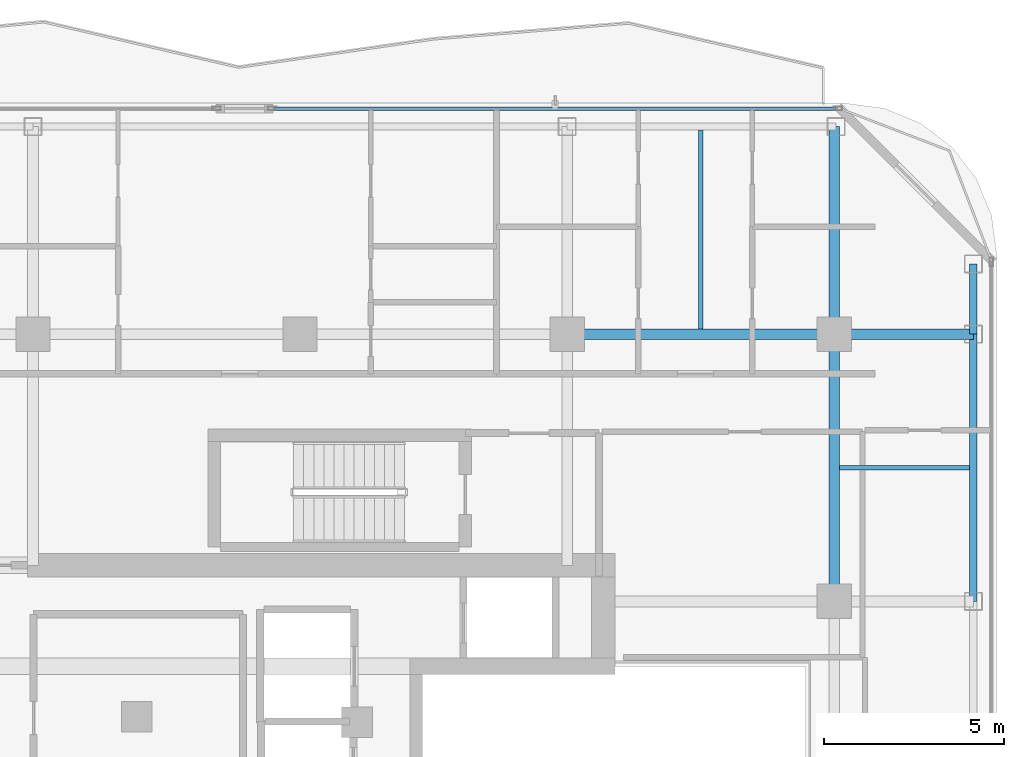
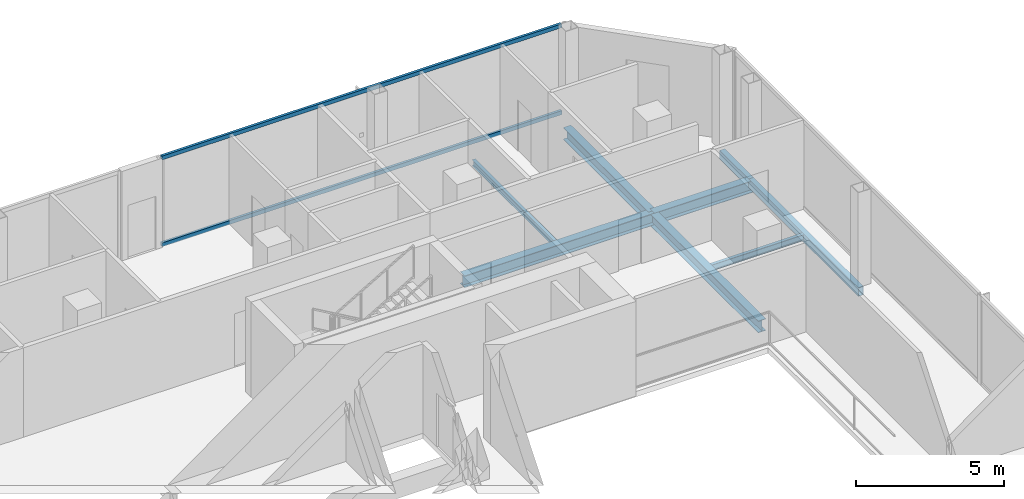
# One storey, part 14 of 26: 8 beams, 2 members, 1 element without a shape of its own.
"""IFC4 building model written with IfcOpenShell, lengths in metres."""

from ifc_helpers import new_model, si_unit, direction, frame, origin, origin_2d, place, context, subcontext, project, spatial, hollow_rectangle, i_section, extrude, material, layer, layer_set, material_profile, profile_set, type_object, element, aggregate, save


model = new_model("IFC4")

# Units and contexts
model_context = context("Model", 3, precision=1e-05, world=origin(), true_north=direction((0.0, 1.0)))
body_context = subcontext(model_context, "Body", "Model", "MODEL_VIEW")
ifc_project = project(units=[si_unit("LENGTHUNIT", "METRE"), si_unit("AREAUNIT", "SQUARE_METRE"), si_unit("VOLUMEUNIT", "CUBIC_METRE"), si_unit("PLANEANGLEUNIT", "RADIAN"), si_unit("MASSUNIT", "GRAM", prefix="KILO")], contexts=[model_context])

# Site, building, storey
site_placement = place(None, origin())
site = spatial("IfcSite", under=ifc_project, at=site_placement, CompositionType="ELEMENT")
building_placement = place(site_placement, origin())
building = spatial("IfcBuilding", under=site, at=building_placement, Name="Khorvyn Point Tower", CompositionType="ELEMENT")
storey_placement = place(building_placement, frame((0.0, 0.0, 289.800048828125)))
storey = spatial("IfcBuildingStorey", under=building, at=storey_placement, Name="L71", CompositionType="ELEMENT", Elevation=289.800048828125)

# Curtain wall, members
ifc_material_1 = material(Name="Anodised aluminium 6063-T6 and laminated Low-E glass", Category="aluminium")
ifc_layer = layer(ifc_material_1, 0.18994140625)
ifc_layer_set = layer_set([ifc_layer], Name="Stick-Built High-Wind Curtain Wall CW-SYS-04")
curtain_wall_type = type_object("IfcCurtainWallType", Name="Stick-Built High-Wind Curtain Wall CW-SYS-04", PredefinedType="NOTDEFINED", material=ifc_layer_set)
curtain_wall_placement = place(storey_placement, origin())
curtain_wall = element("IfcCurtainWall", 1, at=curtain_wall_placement, inside=storey, type_object=curtain_wall_type, Name="Curtain Wall", PredefinedType="NOTDEFINED")
ifc_material_2 = material(Name="Anodised aluminium 6063-T6", Category="aluminium")
ifc_material_profile_1 = material_profile(ifc_material_2, hollow_rectangle(XDim=0.10009765625, YDim=0.159912109375, WallThickness=0.00439453125, at=origin_2d()))
ifc_profile_set_1 = profile_set([ifc_material_profile_1], Name="Anodised aluminium 6063-T6 ALU-TRN-100x160")
member_type = type_object("IfcMemberType", Name="Anodised Aluminium 6063-T6 Transom ALU-TRN-100x160", PredefinedType="USERDEFINED", material=ifc_profile_set_1)
member_1_placement = place(storey_placement, frame((-0.719970703125, 21.050048828125, 0.050048828125), z_axis=(1.0, 0.0, 0.0), x_axis=(0.0, 1.0, 0.0)))
member_1 = element("IfcMember", 2, at=member_1_placement, type_object=member_type, Name="Transom", ObjectType="TRANSOM", PredefinedType="USERDEFINED", context=body_context, shape_type="SweptSolid", body=[
    extrude(hollow_rectangle(XDim=0.10009765625, YDim=0.159912109375, WallThickness=0.00439453125, at=origin_2d()), origin(), (0.0, 0.0, 1.0), 15.570068359375),
])
member_2_placement = place(storey_placement, frame((-0.719970703125, 21.050048828125, 3.6298828125), z_axis=(1.0, 0.0, 0.0), x_axis=(0.0, 1.0, 0.0)))
member_2 = element("IfcMember", 3, at=member_2_placement, type_object=member_type, Name="Transom", ObjectType="TRANSOM", PredefinedType="USERDEFINED", context=body_context, shape_type="SweptSolid", body=[
    extrude(hollow_rectangle(XDim=0.10009765625, YDim=0.159912109375, WallThickness=0.00439453125, at=origin_2d()), origin(), (0.0, 0.0, 1.0), 15.570068359375),
])
aggregate(curtain_wall, [member_1, member_2])

# Beams
ifc_material_3 = material(Name="Steel S355", Category="steel")
ifc_material_profile_2 = material_profile(ifc_material_3, i_section(OverallWidth=0.125, OverallDepth=0.25, WebThickness=0.006103515625, FlangeThickness=0.009033203125, at=origin_2d()))
ifc_profile_set_2 = profile_set([ifc_material_profile_2], Name="Steel S355 H250x125x6x9")
beam_type_1 = type_object("IfcBeamType", Name="Steel S355 Joist H250x125x6x9", PredefinedType="JOIST", material=ifc_profile_set_2)
beam_1_placement = place(storey_placement, frame((14.949951171875, 11.10009765625, -0.344970703125), z_axis=(1.0, 0.0, 0.0), x_axis=(0.0, 1.0, 0.0)))
element("IfcBeam", 4, at=beam_1_placement, inside=storey, type_object=beam_type_1, Name="Beam", PredefinedType="JOIST", context=body_context, shape_type="SweptSolid", body=[
    extrude(i_section(OverallWidth=0.125, OverallDepth=0.25, WebThickness=0.006103515625, FlangeThickness=0.009033203125, at=origin_2d()), origin(), (0.0, 0.0, 1.0), 3.60009765625),
])
beam_2_placement = place(storey_placement, frame((11.10009765625, 14.949951171875, -0.344970703125), z_axis=(0.0, 1.0, 0.0), x_axis=(-1.0, 0.0, 0.0)))
element("IfcBeam", 5, at=beam_2_placement, inside=storey, type_object=beam_type_1, Name="Beam", PredefinedType="JOIST", context=body_context, shape_type="SweptSolid", body=[
    extrude(i_section(OverallWidth=0.125, OverallDepth=0.25, WebThickness=0.006103515625, FlangeThickness=0.009033203125, at=origin_2d()), origin(), (0.0, 0.0, 1.0), 5.5),
])
ifc_material_profile_3 = material_profile(ifc_material_3, i_section(OverallWidth=0.300048828125, OverallDepth=0.488037109375, WebThickness=0.010986328125, FlangeThickness=0.01806640625, at=origin_2d()))
ifc_profile_set_3 = profile_set([ifc_material_profile_3], Name="Steel S355 H488x300x11x18")
beam_type_2 = type_object("IfcBeamType", Name="Steel S355 Spandrel H488x300x11x18", PredefinedType="SPANDREL", material=ifc_profile_set_3)
beam_3_placement = place(storey_placement, frame((7.39990234375, 14.800048828125, -0.464111328125), z_axis=(1.0, 0.0, 0.0), x_axis=(0.0, 1.0, 0.0)))
element("IfcBeam", 6, at=beam_3_placement, inside=storey, type_object=beam_type_2, Name="Beam", PredefinedType="SPANDREL", context=body_context, shape_type="SweptSolid", body=[
    extrude(i_section(OverallWidth=0.300048828125, OverallDepth=0.488037109375, WebThickness=0.010986328125, FlangeThickness=0.01806640625, at=origin_2d()), origin(), (0.0, 0.0, 1.0), 7.400146484375),
])
beam_4_placement = place(storey_placement, frame((14.800048828125, 14.800048828125, -0.464111328125), z_axis=(1.0, 0.0, 0.0), x_axis=(0.0, 1.0, 0.0)))
element("IfcBeam", 7, at=beam_4_placement, inside=storey, type_object=beam_type_2, Name="Beam", PredefinedType="SPANDREL", context=body_context, shape_type="SweptSolid", body=[
    extrude(i_section(OverallWidth=0.300048828125, OverallDepth=0.488037109375, WebThickness=0.010986328125, FlangeThickness=0.01806640625, at=origin_2d()), origin(), (0.0, 0.0, 1.0), 3.849853515625),
])
beam_5_placement = place(storey_placement, frame((14.800048828125, 7.39990234375, -0.464111328125), z_axis=(0.0, 1.0, 0.0), x_axis=(-1.0, 0.0, 0.0)))
element("IfcBeam", 8, at=beam_5_placement, inside=storey, type_object=beam_type_2, Name="Beam", PredefinedType="SPANDREL", context=body_context, shape_type="SweptSolid", body=[
    extrude(i_section(OverallWidth=0.300048828125, OverallDepth=0.488037109375, WebThickness=0.010986328125, FlangeThickness=0.01806640625, at=origin_2d()), origin(), (0.0, 0.0, 1.0), 7.400146484375),
])
beam_6_placement = place(storey_placement, frame((14.800048828125, 14.800048828125, -0.464111328125), z_axis=(0.0, 1.0, 0.0), x_axis=(-1.0, 0.0, 0.0)))
element("IfcBeam", 9, at=beam_6_placement, inside=storey, type_object=beam_type_2, Name="Beam", PredefinedType="SPANDREL", context=body_context, shape_type="SweptSolid", body=[
    extrude(i_section(OverallWidth=0.300048828125, OverallDepth=0.488037109375, WebThickness=0.010986328125, FlangeThickness=0.01806640625, at=origin_2d()), origin(), (0.0, 0.0, 1.0), 5.75),
])
ifc_material_profile_4 = material_profile(ifc_material_3, hollow_rectangle(XDim=0.199951171875, YDim=0.35009765625, WallThickness=0.013916015625, at=origin_2d()))
ifc_profile_set_4 = profile_set([ifc_material_profile_4], Name="Steel S355 RHS350x200x14")
beam_type_3 = type_object("IfcBeamType", Name="Steel S355 Spandrel RHS350x200x14", PredefinedType="SPANDREL", material=ifc_profile_set_4)
beam_7_placement = place(storey_placement, frame((18.64990234375, 7.39990234375, -0.39501953125), z_axis=(0.0, 1.0, 0.0), x_axis=(-1.0, 0.0, 0.0)))
element("IfcBeam", 10, at=beam_7_placement, inside=storey, type_object=beam_type_3, Name="Beam", PredefinedType="SPANDREL", context=body_context, shape_type="SweptSolid", body=[
    extrude(hollow_rectangle(XDim=0.199951171875, YDim=0.35009765625, WallThickness=0.013916015625, at=origin_2d()), origin(), (0.0, 0.0, 1.0), 7.400146484375),
])
beam_8_placement = place(storey_placement, frame((18.64990234375, 14.800048828125, -0.39501953125), z_axis=(0.0, 1.0, 0.0), x_axis=(-1.0, 0.0, 0.0)))
element("IfcBeam", 11, at=beam_8_placement, inside=storey, type_object=beam_type_3, Name="Beam", PredefinedType="SPANDREL", context=body_context, shape_type="SweptSolid", body=[
    extrude(hollow_rectangle(XDim=0.199951171875, YDim=0.35009765625, WallThickness=0.013916015625, at=origin_2d()), origin(), (0.0, 0.0, 1.0), 1.949951171875),
])

save(model, "model.ifc")
